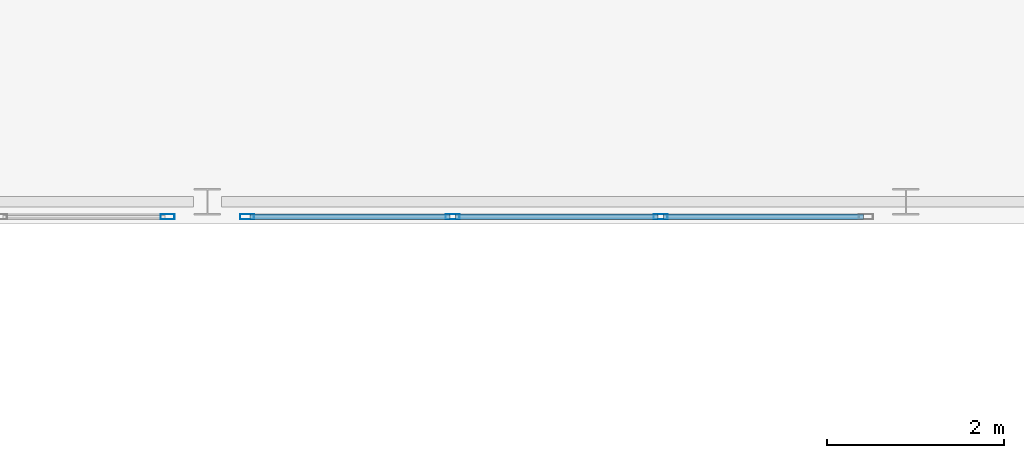
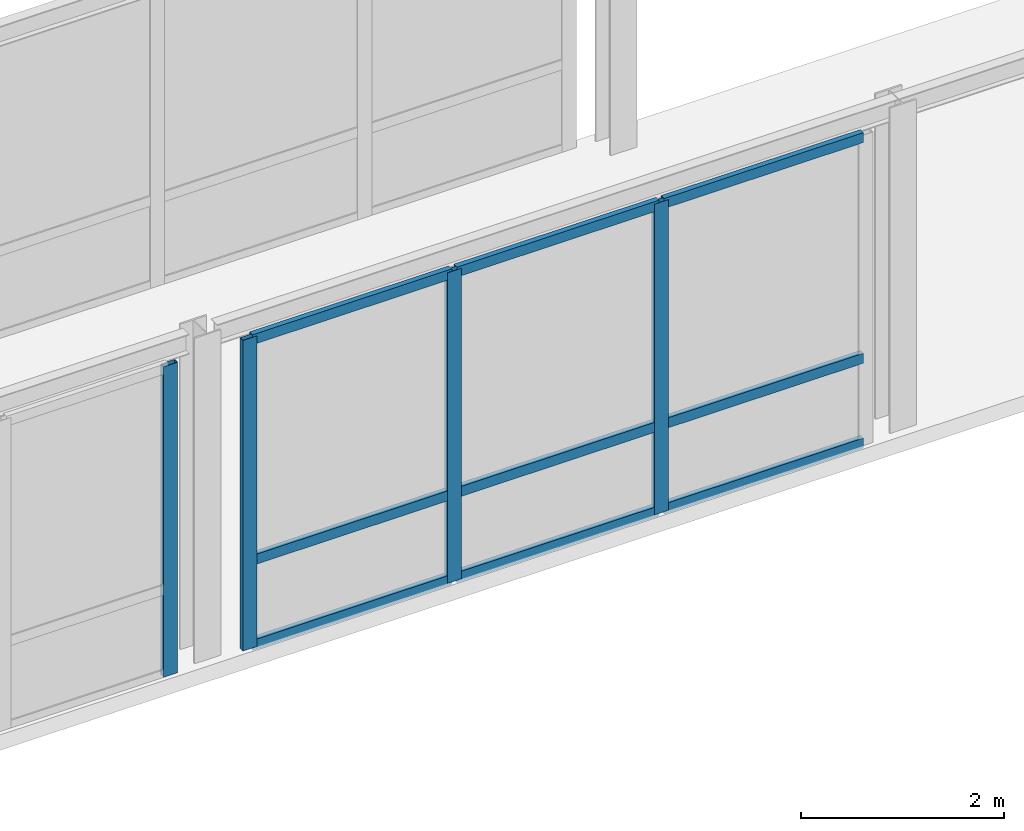
# One storey, part 55 of 165: 13 members, 2 elements without a shape of their own.
"""IFC4 building model written with IfcOpenShell, lengths in metres."""

from ifc_helpers import new_model, si_unit, direction, frame, origin, origin_2d, place, context, subcontext, project, spatial, hollow_rectangle, extrude, material, layer, layer_set, material_profile, profile_set, type_object, element, aggregate, save


model = new_model("IFC4")

# Units and contexts
model_context = context("Model", 3, precision=1e-05, world=origin(), true_north=direction((0.0, 1.0)))
body_context = subcontext(model_context, "Body", "Model", "MODEL_VIEW")
ifc_project = project(units=[si_unit("LENGTHUNIT", "METRE"), si_unit("AREAUNIT", "SQUARE_METRE"), si_unit("VOLUMEUNIT", "CUBIC_METRE"), si_unit("PLANEANGLEUNIT", "RADIAN"), si_unit("MASSUNIT", "GRAM", prefix="KILO")], contexts=[model_context])

# Site, building, storey
site_placement = place(None, origin())
site = spatial("IfcSite", under=ifc_project, at=site_placement, CompositionType="ELEMENT")
building_placement = place(site_placement, origin())
building = spatial("IfcBuilding", under=site, at=building_placement, Name="Montecoro Central Library", CompositionType="ELEMENT")
storey_placement = place(building_placement, frame((0.0, 0.0, 5.10009765625)))
storey = spatial("IfcBuildingStorey", under=building, at=storey_placement, Name="L01", CompositionType="ELEMENT", Elevation=5.10009765625)

# Curtain wall, member
ifc_material_1 = material(Name="Bronze-anodised aluminium and low-E glazing", Category="aluminium")
ifc_layer_1 = layer(ifc_material_1, 0.159912109375)
ifc_layer_set_1 = layer_set([ifc_layer_1], Name="Bronze-anodised aluminium and low-E glazing")
curtain_wall_type_1 = type_object("IfcCurtainWallType", Name="CWT-087", PredefinedType="NOTDEFINED", material=ifc_layer_set_1)
curtain_wall_1_placement = place(storey_placement, origin())
curtain_wall_1 = element("IfcCurtainWall", 1, at=curtain_wall_1_placement, inside=storey, type_object=curtain_wall_type_1, Name="BR-SE-L01-CW-S1", PredefinedType="NOTDEFINED")
ifc_material_2 = material(Name="Bronze-anodised aluminium", Category="aluminium")
ifc_material_profile_1 = material_profile(ifc_material_2, hollow_rectangle(XDim=0.06005859375, YDim=0.159912109375, WallThickness=0.00390625, at=origin_2d()), Name="CWM 160x60x4.0")
ifc_profile_set_1 = profile_set([ifc_material_profile_1], Name="Bronze-anodised aluminium")
member_type_1 = type_object("IfcMemberType", Name="CWM-BRZ-60", PredefinedType="MULLION", material=ifc_profile_set_1)
member_1_placement = place(storey_placement, frame((124.75, 32.47998046875, 0.0), z_axis=(0.0, 0.0, 1.0), x_axis=(0.0, 1.0, 0.0)))
member_1 = element("IfcMember", 2, at=member_1_placement, type_object=member_type_1, Name="CW-087 mullion 5", PredefinedType="MULLION", context=body_context, shape_type="SweptSolid", body=[
    extrude(hollow_rectangle(XDim=0.06005859375, YDim=0.159912109375, WallThickness=0.00390625, at=origin_2d()), origin(), (0.0, 0.0, 1.0), 3.72998046875),
])
aggregate(curtain_wall_1, [member_1])

# Curtain wall, members
ifc_layer_2 = layer(ifc_material_1, 0.159912109375)
ifc_layer_set_2 = layer_set([ifc_layer_2], Name="Bronze-anodised aluminium and low-E glazing")
curtain_wall_type_2 = type_object("IfcCurtainWallType", Name="CWT-088", PredefinedType="NOTDEFINED", material=ifc_layer_set_2)
curtain_wall_2_placement = place(storey_placement, origin())
curtain_wall_2 = element("IfcCurtainWall", 3, at=curtain_wall_2_placement, inside=storey, type_object=curtain_wall_type_2, Name="BR-SE-L01-CW-S2", PredefinedType="NOTDEFINED")
member_2_placement = place(storey_placement, frame((125.64990234375, 32.47998046875, 0.0), z_axis=(0.0, 0.0, 1.0), x_axis=(0.0, 1.0, 0.0)))
member_2 = element("IfcMember", 4, at=member_2_placement, type_object=member_type_1, Name="CW-088 mullion 1", PredefinedType="MULLION", context=body_context, shape_type="SweptSolid", body=[
    extrude(hollow_rectangle(XDim=0.06005859375, YDim=0.159912109375, WallThickness=0.00390625, at=origin_2d()), origin(), (0.0, 0.0, 1.0), 3.72998046875),
])
member_3_placement = place(storey_placement, frame((127.973388671875, 32.47998046875, 0.0), z_axis=(0.0, 0.0, 1.0), x_axis=(0.0, 1.0, 0.0)))
member_3 = element("IfcMember", 5, at=member_3_placement, type_object=member_type_1, Name="CW-088 mullion 2", PredefinedType="MULLION", context=body_context, shape_type="SweptSolid", body=[
    extrude(hollow_rectangle(XDim=0.06005859375, YDim=0.159912109375, WallThickness=0.00390625, at=origin_2d()), origin(), (0.0, 0.0, 1.0), 3.72998046875),
])
member_4_placement = place(storey_placement, frame((130.32666015625, 32.47998046875, 0.0), z_axis=(0.0, 0.0, 1.0), x_axis=(0.0, 1.0, 0.0)))
member_4 = element("IfcMember", 6, at=member_4_placement, type_object=member_type_1, Name="CW-088 mullion 3", PredefinedType="MULLION", context=body_context, shape_type="SweptSolid", body=[
    extrude(hollow_rectangle(XDim=0.06005859375, YDim=0.159912109375, WallThickness=0.00390625, at=origin_2d()), origin(), (0.0, 0.0, 1.0), 3.72998046875),
])
ifc_material_profile_2 = material_profile(ifc_material_2, hollow_rectangle(XDim=0.06005859375, YDim=0.1201171875, WallThickness=0.00390625, at=origin_2d()), Name="CWT 120x60x4.0")
ifc_profile_set_2 = profile_set([ifc_material_profile_2], Name="Bronze-anodised aluminium")
member_type_2 = type_object("IfcMemberType", Name="CWT-BRZ-60", PredefinedType="USERDEFINED", material=ifc_profile_set_2)
member_5_placement = place(storey_placement, frame((125.679931640625, 32.47998046875, 0.02978515625), z_axis=(1.0, 0.0, 0.0), x_axis=(0.0, 1.0, 0.0)))
member_5 = element("IfcMember", 7, at=member_5_placement, type_object=member_type_2, Name="CW-088 transom 1.1", ObjectType="TRANSOM", PredefinedType="USERDEFINED", context=body_context, shape_type="SweptSolid", body=[
    extrude(hollow_rectangle(XDim=0.06005859375, YDim=0.1201171875, WallThickness=0.00390625, at=origin_2d()), origin(), (0.0, 0.0, 1.0), 2.263427734375),
])
member_6_placement = place(storey_placement, frame((125.679931640625, 32.47998046875, 1.0498046875), z_axis=(1.0, 0.0, 0.0), x_axis=(0.0, 1.0, 0.0)))
member_6 = element("IfcMember", 8, at=member_6_placement, type_object=member_type_2, Name="CW-088 transom 1.2", ObjectType="TRANSOM", PredefinedType="USERDEFINED", context=body_context, shape_type="SweptSolid", body=[
    extrude(hollow_rectangle(XDim=0.06005859375, YDim=0.1201171875, WallThickness=0.00390625, at=origin_2d()), origin(), (0.0, 0.0, 1.0), 2.263427734375),
])
member_7_placement = place(storey_placement, frame((125.679931640625, 32.47998046875, 3.699951171875), z_axis=(1.0, 0.0, 0.0), x_axis=(0.0, 1.0, 0.0)))
member_7 = element("IfcMember", 9, at=member_7_placement, type_object=member_type_2, Name="CW-088 transom 1.3", ObjectType="TRANSOM", PredefinedType="USERDEFINED", context=body_context, shape_type="SweptSolid", body=[
    extrude(hollow_rectangle(XDim=0.06005859375, YDim=0.1201171875, WallThickness=0.00390625, at=origin_2d()), origin(), (0.0, 0.0, 1.0), 2.263427734375),
])
member_8_placement = place(storey_placement, frame((128.00341796875, 32.47998046875, 0.02978515625), z_axis=(1.0, 0.0, 0.0), x_axis=(0.0, 1.0, 0.0)))
member_8 = element("IfcMember", 10, at=member_8_placement, type_object=member_type_2, Name="CW-088 transom 2.1", ObjectType="TRANSOM", PredefinedType="USERDEFINED", context=body_context, shape_type="SweptSolid", body=[
    extrude(hollow_rectangle(XDim=0.06005859375, YDim=0.1201171875, WallThickness=0.00390625, at=origin_2d()), origin(), (0.0, 0.0, 1.0), 2.293212890625),
])
member_9_placement = place(storey_placement, frame((128.00341796875, 32.47998046875, 1.0498046875), z_axis=(1.0, 0.0, 0.0), x_axis=(0.0, 1.0, 0.0)))
member_9 = element("IfcMember", 11, at=member_9_placement, type_object=member_type_2, Name="CW-088 transom 2.2", ObjectType="TRANSOM", PredefinedType="USERDEFINED", context=body_context, shape_type="SweptSolid", body=[
    extrude(hollow_rectangle(XDim=0.06005859375, YDim=0.1201171875, WallThickness=0.00390625, at=origin_2d()), origin(), (0.0, 0.0, 1.0), 2.293212890625),
])
member_10_placement = place(storey_placement, frame((128.00341796875, 32.47998046875, 3.699951171875), z_axis=(1.0, 0.0, 0.0), x_axis=(0.0, 1.0, 0.0)))
member_10 = element("IfcMember", 12, at=member_10_placement, type_object=member_type_2, Name="CW-088 transom 2.3", ObjectType="TRANSOM", PredefinedType="USERDEFINED", context=body_context, shape_type="SweptSolid", body=[
    extrude(hollow_rectangle(XDim=0.06005859375, YDim=0.1201171875, WallThickness=0.00390625, at=origin_2d()), origin(), (0.0, 0.0, 1.0), 2.293212890625),
])
member_11_placement = place(storey_placement, frame((130.356689453125, 32.47998046875, 0.02978515625), z_axis=(1.0, 0.0, 0.0), x_axis=(0.0, 1.0, 0.0)))
member_11 = element("IfcMember", 13, at=member_11_placement, type_object=member_type_2, Name="CW-088 transom 3.1", ObjectType="TRANSOM", PredefinedType="USERDEFINED", context=body_context, shape_type="SweptSolid", body=[
    extrude(hollow_rectangle(XDim=0.06005859375, YDim=0.1201171875, WallThickness=0.00390625, at=origin_2d()), origin(), (0.0, 0.0, 1.0), 2.263427734375),
])
member_12_placement = place(storey_placement, frame((130.356689453125, 32.47998046875, 1.0498046875), z_axis=(1.0, 0.0, 0.0), x_axis=(0.0, 1.0, 0.0)))
member_12 = element("IfcMember", 14, at=member_12_placement, type_object=member_type_2, Name="CW-088 transom 3.2", ObjectType="TRANSOM", PredefinedType="USERDEFINED", context=body_context, shape_type="SweptSolid", body=[
    extrude(hollow_rectangle(XDim=0.06005859375, YDim=0.1201171875, WallThickness=0.00390625, at=origin_2d()), origin(), (0.0, 0.0, 1.0), 2.263427734375),
])
member_13_placement = place(storey_placement, frame((130.356689453125, 32.47998046875, 3.699951171875), z_axis=(1.0, 0.0, 0.0), x_axis=(0.0, 1.0, 0.0)))
member_13 = element("IfcMember", 15, at=member_13_placement, type_object=member_type_2, Name="CW-088 transom 3.3", ObjectType="TRANSOM", PredefinedType="USERDEFINED", context=body_context, shape_type="SweptSolid", body=[
    extrude(hollow_rectangle(XDim=0.06005859375, YDim=0.1201171875, WallThickness=0.00390625, at=origin_2d()), origin(), (0.0, 0.0, 1.0), 2.263427734375),
])
aggregate(curtain_wall_2, [member_2, member_3, member_4, member_5, member_6, member_7, member_8, member_9, member_10, member_11, member_12, member_13])

save(model, "model.ifc")
